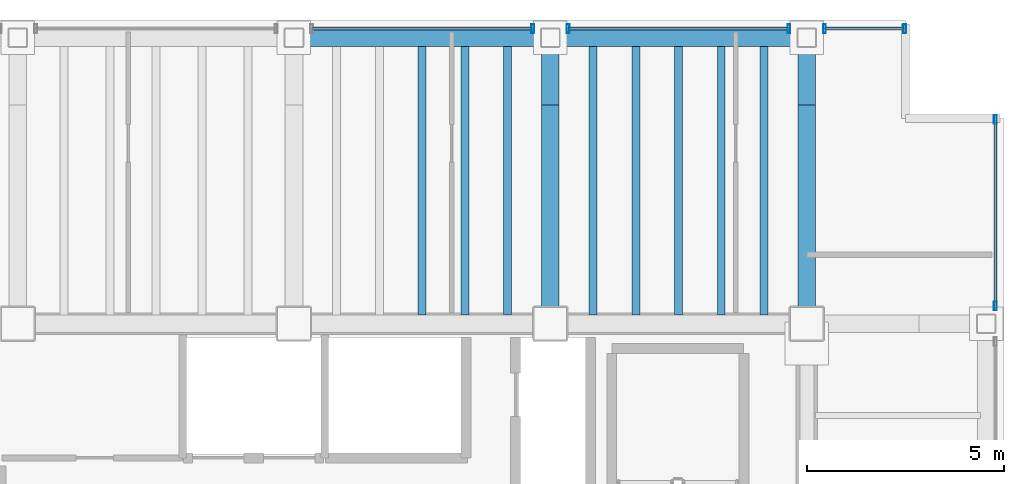
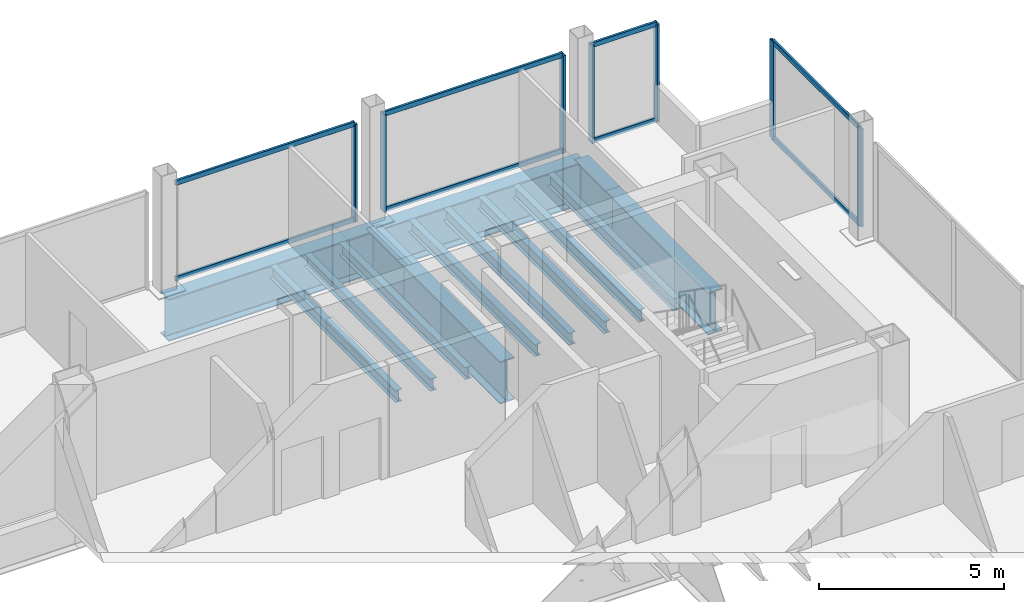
# One storey, part 19 of 24: 15 members, 14 beams, 4 elements without a shape of their own.
"""IFC4 building model written with IfcOpenShell, lengths in metres."""

from ifc_helpers import new_model, si_unit, direction, frame, origin, origin_2d, place, context, subcontext, project, spatial, hollow_rectangle, i_section, extrude, material, material_profile, profile_set, type_object, element, aggregate, save


model = new_model("IFC4")

# Units and contexts
model_context = context("Model", 3, precision=1e-05, world=origin(), true_north=direction((0.0, 1.0)))
body_context = subcontext(model_context, "Body", "Model", "MODEL_VIEW")
ifc_project = project(units=[si_unit("LENGTHUNIT", "METRE"), si_unit("AREAUNIT", "SQUARE_METRE"), si_unit("VOLUMEUNIT", "CUBIC_METRE"), si_unit("PLANEANGLEUNIT", "RADIAN"), si_unit("MASSUNIT", "GRAM", prefix="KILO")], contexts=[model_context])

# Site, building, storey
site_placement = place(None, origin())
site = spatial("IfcSite", under=ifc_project, at=site_placement, CompositionType="ELEMENT")
building_placement = place(site_placement, origin())
building = spatial("IfcBuilding", under=site, at=building_placement, Name="Noeulbin Bourse Tower", CompositionType="ELEMENT")
storey_placement = place(building_placement, frame((0.0, 0.0, 142.199951171875)))
storey = spatial("IfcBuildingStorey", under=building, at=storey_placement, Name="L35", CompositionType="ELEMENT", Elevation=142.199951171875)

# Beams
ifc_material_1 = material(Name="Steel S355", Category="steel")
ifc_material_profile_1 = material_profile(ifc_material_1, i_section(OverallWidth=0.199951171875, OverallDepth=0.39990234375, WebThickness=0.008056640625, FlangeThickness=0.012939453125, FilletRadius=0.01611328125, at=origin_2d()), Name="H-400x200x8x13", Category="LoadBearing")
ifc_profile_set_1 = profile_set([ifc_material_profile_1], Name="Steel S355")
beam_type_1 = type_object("IfcBeamType", Name="BM-SEC-400", PredefinedType="BEAM", material=ifc_profile_set_1)
for number, where, z_axis, x_axis, name in (
    (1, (34.25, 38.52490234375, -0.43994140625), (0.0, 1.0, 0.0), (-1.0, 0.0, 0.0), "Tower Composite Joist L35-48"),
    (2, (35.333251953125, 38.52490234375, -0.43994140625), (0.0, 1.0, 0.0), (-1.0, 0.0, 0.0), "Tower Composite Joist L35-51"),
    (3, (36.416748046875, 38.52490234375, -0.43994140625), (0.0, 1.0, 0.0), (-1.0, 0.0, 0.0), "Tower Composite Joist L35-54"),
    (4, (38.583251953125, 38.52490234375, -0.43994140625), (0.0, 1.0, 0.0), (-1.0, 0.0, 0.0), "Tower Composite Joist L35-57"),
    (5, (39.666748046875, 38.52490234375, -0.43994140625), (0.0, 1.0, 0.0), (-1.0, 0.0, 0.0), "Tower Composite Joist L35-60"),
    (6, (40.75, 38.52490234375, -0.43994140625), (0.0, 1.0, 0.0), (-1.0, 0.0, 0.0), "Tower Composite Joist L35-63"),
    (7, (41.833251953125, 38.52490234375, -0.43994140625), (0.0, 1.0, 0.0), (-1.0, 0.0, 0.0), "Tower Composite Joist L35-66"),
    (8, (42.916748046875, 38.52490234375, -0.43994140625), (0.0, 1.0, 0.0), (-1.0, 0.0, 0.0), "Tower Composite Joist L35-69"),
):
    element("IfcBeam", number, at=place(storey_placement, frame(where, z_axis=z_axis, x_axis=x_axis)), inside=storey, type_object=beam_type_1, Name=name, PredefinedType="BEAM", context=body_context, shape_type="SweptSolid", body=[
        extrude(i_section(OverallWidth=0.199951171875, OverallDepth=0.39990234375, WebThickness=0.008056640625, FlangeThickness=0.012939453125, FilletRadius=0.01611328125, at=origin_2d()), origin(), (0.0, 0.0, 1.0), 6.800048828125),
    ])
ifc_material_2 = material(Name="Steel S460", Category="steel")
ifc_material_profile_2 = material_profile(ifc_material_2, i_section(OverallWidth=0.449951171875, OverallDepth=1.39990234375, WebThickness=0.02392578125, FlangeThickness=0.0400390625, FilletRadius=0.02392578125, at=origin_2d()), Name="PG-1400x450x24x40", Category="LoadBearing")
ifc_profile_set_2 = profile_set([ifc_material_profile_2], Name="Steel S460")
beam_type_2 = type_object("IfcBeamType", Name="BM-TRF-1400", PredefinedType="USERDEFINED", material=ifc_profile_set_2)
beam_1_placement = place(storey_placement, frame((37.5, 38.300048828125, -0.93994140625), z_axis=(0.0, 1.0, 0.0), x_axis=(-1.0, 0.0, 0.0)))
element("IfcBeam", 9, at=beam_1_placement, inside=storey, type_object=beam_type_2, Name="Tower Primary Girder NS L35-4.4", ObjectType="GIRDER", PredefinedType="USERDEFINED", context=body_context, shape_type="SweptSolid", body=[
    extrude(i_section(OverallWidth=0.449951171875, OverallDepth=1.39990234375, WebThickness=0.02392578125, FlangeThickness=0.0400390625, FilletRadius=0.02392578125, at=origin_2d()), origin(), (0.0, 0.0, 1.0), 5.550048828125),
])
beam_2_placement = place(storey_placement, frame((37.5, 43.85009765625, -0.93994140625), z_axis=(0.0, 1.0, 0.0), x_axis=(-1.0, 0.0, 0.0)))
element("IfcBeam", 10, at=beam_2_placement, inside=storey, type_object=beam_type_2, Name="Tower Primary Girder NS L35-4.5", ObjectType="GIRDER", PredefinedType="USERDEFINED", context=body_context, shape_type="SweptSolid", body=[
    extrude(i_section(OverallWidth=0.449951171875, OverallDepth=1.39990234375, WebThickness=0.02392578125, FlangeThickness=0.0400390625, FilletRadius=0.02392578125, at=origin_2d()), origin(), (0.0, 0.0, 1.0), 1.699951171875),
])
beam_3_placement = place(storey_placement, frame((44.0, 38.300048828125, -0.93994140625), z_axis=(0.0, 1.0, 0.0), x_axis=(-1.0, 0.0, 0.0)))
element("IfcBeam", 11, at=beam_3_placement, inside=storey, type_object=beam_type_2, Name="Tower Primary Girder NS L35-5.4", ObjectType="GIRDER", PredefinedType="USERDEFINED", context=body_context, shape_type="SweptSolid", body=[
    extrude(i_section(OverallWidth=0.449951171875, OverallDepth=1.39990234375, WebThickness=0.02392578125, FlangeThickness=0.0400390625, FilletRadius=0.02392578125, at=origin_2d()), origin(), (0.0, 0.0, 1.0), 5.550048828125),
])
beam_4_placement = place(storey_placement, frame((44.0, 43.85009765625, -0.93994140625), z_axis=(0.0, 1.0, 0.0), x_axis=(-1.0, 0.0, 0.0)))
element("IfcBeam", 12, at=beam_4_placement, inside=storey, type_object=beam_type_2, Name="Tower Primary Girder NS L35-5.5", ObjectType="GIRDER", PredefinedType="USERDEFINED", context=body_context, shape_type="SweptSolid", body=[
    extrude(i_section(OverallWidth=0.449951171875, OverallDepth=1.39990234375, WebThickness=0.02392578125, FlangeThickness=0.0400390625, FilletRadius=0.02392578125, at=origin_2d()), origin(), (0.0, 0.0, 1.0), 1.699951171875),
])
for number, where, z_axis, x_axis, name in (
    (13, (31.0, 45.550048828125, -0.93994140625), (1.0, 0.0, 0.0), (0.0, 1.0, 0.0), "North Spandrel L35-3"),
    (14, (37.5, 45.550048828125, -0.93994140625), (1.0, 0.0, 0.0), (0.0, 1.0, 0.0), "North Spandrel L35-4"),
):
    element("IfcBeam", number, at=place(storey_placement, frame(where, z_axis=z_axis, x_axis=x_axis)), inside=storey, type_object=beam_type_2, Name=name, ObjectType="GIRDER", PredefinedType="USERDEFINED", context=body_context, shape_type="SweptSolid", body=[
        extrude(i_section(OverallWidth=0.449951171875, OverallDepth=1.39990234375, WebThickness=0.02392578125, FlangeThickness=0.0400390625, FilletRadius=0.02392578125, at=origin_2d()), origin(), (0.0, 0.0, 1.0), 6.5),
    ])

# Curtain wall, member
ifc_material_3 = material(Name="Dark Tinted Triple Glazing", Category="glass")
curtain_wall_type = type_object("IfcCurtainWallType", Name="CW-SYS-3", PredefinedType="NOTDEFINED", material=ifc_material_3)
curtain_wall_1_placement = place(storey_placement, origin())
curtain_wall_1 = element("IfcCurtainWall", 15, at=curtain_wall_1_placement, inside=storey, type_object=curtain_wall_type, Name="Unitised Curtain Wall CW-L35-N-S4", PredefinedType="NOTDEFINED")
ifc_material_4 = material(Name="Anodised Aluminium 6063-T6", Category="aluminium")
ifc_material_profile_3 = material_profile(ifc_material_4, hollow_rectangle(XDim=0.074951171875, YDim=0.219970703125, WallThickness=0.0048828125, InnerFilletRadius=0.00244140625, OuterFilletRadius=0.0048828125, at=origin_2d()), Name="ALU-MULL-75x220x5", Category="LoadBearing")
ifc_profile_set_3 = profile_set([ifc_material_profile_3], Name="Anodised Aluminium 6063-T6")
member_type_1 = type_object("IfcMemberType", Name="CW-SYS-3-MUL", PredefinedType="MULLION", material=ifc_profile_set_3)
member_1_placement = place(storey_placement, frame((37.050048828125, 45.780029296875, -0.02001953125), z_axis=(0.0, 0.0, 1.0), x_axis=(1.0, 0.0, 0.0)))
member_1 = element("IfcMember", 16, at=member_1_placement, type_object=member_type_1, Name="Curtain Wall Mullion CW-L35-N-S4-M01", PredefinedType="MULLION", context=body_context, shape_type="SweptSolid", body=[
    extrude(hollow_rectangle(XDim=0.074951171875, YDim=0.219970703125, WallThickness=0.0048828125, InnerFilletRadius=0.00244140625, OuterFilletRadius=0.0048828125, at=origin_2d()), origin(), (0.0, 0.0, 1.0), 3.219970703125),
])

# Curtain wall, members
curtain_wall_2_placement = place(storey_placement, origin())
curtain_wall_2 = element("IfcCurtainWall", 17, at=curtain_wall_2_placement, inside=storey, type_object=curtain_wall_type, Name="Unitised Curtain Wall CW-L35-N-S5", PredefinedType="NOTDEFINED")
member_2_placement = place(storey_placement, frame((37.949951171875, 45.780029296875, -0.02001953125), z_axis=(0.0, 0.0, 1.0), x_axis=(1.0, 0.0, 0.0)))
member_2 = element("IfcMember", 18, at=member_2_placement, type_object=member_type_1, Name="Curtain Wall Mullion CW-L35-N-S5-M00", PredefinedType="MULLION", context=body_context, shape_type="SweptSolid", body=[
    extrude(hollow_rectangle(XDim=0.074951171875, YDim=0.219970703125, WallThickness=0.0048828125, InnerFilletRadius=0.00244140625, OuterFilletRadius=0.0048828125, at=origin_2d()), origin(), (0.0, 0.0, 1.0), 3.219970703125),
])
member_3_placement = place(storey_placement, frame((43.550048828125, 45.780029296875, -0.02001953125), z_axis=(0.0, 0.0, 1.0), x_axis=(1.0, 0.0, 0.0)))
member_3 = element("IfcMember", 19, at=member_3_placement, type_object=member_type_1, Name="Curtain Wall Mullion CW-L35-N-S5-M01", PredefinedType="MULLION", context=body_context, shape_type="SweptSolid", body=[
    extrude(hollow_rectangle(XDim=0.074951171875, YDim=0.219970703125, WallThickness=0.0048828125, InnerFilletRadius=0.00244140625, OuterFilletRadius=0.0048828125, at=origin_2d()), origin(), (0.0, 0.0, 1.0), 3.219970703125),
])

curtain_wall_3_placement = place(storey_placement, origin())
curtain_wall_3 = element("IfcCurtainWall", 20, at=curtain_wall_3_placement, inside=storey, type_object=curtain_wall_type, Name="Unitised Curtain Wall CW-L35-N-S6", PredefinedType="NOTDEFINED")
member_4_placement = place(storey_placement, frame((44.449951171875, 45.780029296875, -0.02001953125), z_axis=(0.0, 0.0, 1.0), x_axis=(1.0, 0.0, 0.0)))
member_4 = element("IfcMember", 21, at=member_4_placement, type_object=member_type_1, Name="Curtain Wall Mullion CW-L35-N-S6-M00", PredefinedType="MULLION", context=body_context, shape_type="SweptSolid", body=[
    extrude(hollow_rectangle(XDim=0.074951171875, YDim=0.219970703125, WallThickness=0.0048828125, InnerFilletRadius=0.00244140625, OuterFilletRadius=0.0048828125, at=origin_2d()), origin(), (0.0, 0.0, 1.0), 3.219970703125),
])
member_5_placement = place(storey_placement, frame((46.47998046875, 45.780029296875, -0.02001953125), z_axis=(0.0, 0.0, 1.0), x_axis=(1.0, 0.0, 0.0)))
member_5 = element("IfcMember", 22, at=member_5_placement, type_object=member_type_1, Name="Curtain Wall Mullion CW-L35-N-S6-M01", PredefinedType="MULLION", context=body_context, shape_type="SweptSolid", body=[
    extrude(hollow_rectangle(XDim=0.074951171875, YDim=0.219970703125, WallThickness=0.0048828125, InnerFilletRadius=0.00244140625, OuterFilletRadius=0.0048828125, at=origin_2d()), origin(), (0.0, 0.0, 1.0), 3.219970703125),
])

curtain_wall_4_placement = place(storey_placement, origin())
curtain_wall_4 = element("IfcCurtainWall", 23, at=curtain_wall_4_placement, inside=storey, type_object=curtain_wall_type, Name="Unitised Curtain Wall CW-L35-E-S3", PredefinedType="NOTDEFINED")
member_6_placement = place(storey_placement, frame((48.780029296875, 38.75, -0.02001953125), z_axis=(0.0, 0.0, 1.0), x_axis=(1.0, 0.0, 0.0)))
member_6 = element("IfcMember", 24, at=member_6_placement, type_object=member_type_1, Name="Curtain Wall Mullion CW-L35-E-S3-M00", PredefinedType="MULLION", context=body_context, shape_type="SweptSolid", body=[
    extrude(hollow_rectangle(XDim=0.074951171875, YDim=0.219970703125, WallThickness=0.0048828125, InnerFilletRadius=0.00244140625, OuterFilletRadius=0.0048828125, at=origin_2d()), origin(), (0.0, 0.0, 1.0), 3.219970703125),
])
member_7_placement = place(storey_placement, frame((48.780029296875, 43.47998046875, -0.02001953125), z_axis=(0.0, 0.0, 1.0), x_axis=(1.0, 0.0, 0.0)))
member_7 = element("IfcMember", 25, at=member_7_placement, type_object=member_type_1, Name="Curtain Wall Mullion CW-L35-E-S3-M01", PredefinedType="MULLION", context=body_context, shape_type="SweptSolid", body=[
    extrude(hollow_rectangle(XDim=0.074951171875, YDim=0.219970703125, WallThickness=0.0048828125, InnerFilletRadius=0.00244140625, OuterFilletRadius=0.0048828125, at=origin_2d()), origin(), (0.0, 0.0, 1.0), 3.219970703125),
])

# Member
ifc_material_profile_4 = material_profile(ifc_material_4, hollow_rectangle(XDim=0.074951171875, YDim=0.159912109375, WallThickness=0.0048828125, InnerFilletRadius=0.00244140625, OuterFilletRadius=0.0048828125, at=origin_2d()), Name="ALU-TRAN-75x160x5", Category="LoadBearing")
ifc_profile_set_4 = profile_set([ifc_material_profile_4], Name="Anodised Aluminium 6063-T6")
member_type_2 = type_object("IfcMemberType", Name="CW-SYS-3-TRN", PredefinedType="USERDEFINED", material=ifc_profile_set_4)
member_8_placement = place(storey_placement, frame((31.4599609375, 45.780029296875, 0.010009765625), z_axis=(1.0, 0.0, 0.0), x_axis=(0.0, 1.0, 0.0)))
member_8 = element("IfcMember", 26, at=member_8_placement, type_object=member_type_2, Name="Curtain Wall Transom CW-L35-N-S4-T00", ObjectType="TRANSOM", PredefinedType="USERDEFINED", context=body_context, shape_type="SweptSolid", body=[
    extrude(hollow_rectangle(XDim=0.074951171875, YDim=0.159912109375, WallThickness=0.0048828125, InnerFilletRadius=0.00244140625, OuterFilletRadius=0.0048828125, at=origin_2d()), origin(), (0.0, 0.0, 1.0), 5.580078125),
])

member_9_placement = place(storey_placement, frame((31.4599609375, 45.780029296875, 3.170166015625), z_axis=(1.0, 0.0, 0.0), x_axis=(0.0, 1.0, 0.0)))
member_9 = element("IfcMember", 27, at=member_9_placement, type_object=member_type_2, Name="Curtain Wall Transom CW-L35-N-S4-T01", ObjectType="TRANSOM", PredefinedType="USERDEFINED", context=body_context, shape_type="SweptSolid", body=[
    extrude(hollow_rectangle(XDim=0.074951171875, YDim=0.159912109375, WallThickness=0.0048828125, InnerFilletRadius=0.00244140625, OuterFilletRadius=0.0048828125, at=origin_2d()), origin(), (0.0, 0.0, 1.0), 5.580078125),
])

aggregate(curtain_wall_1, [member_1, member_8, member_9])

member_10_placement = place(storey_placement, frame((37.9599609375, 45.780029296875, 0.010009765625), z_axis=(1.0, 0.0, 0.0), x_axis=(0.0, 1.0, 0.0)))
member_10 = element("IfcMember", 28, at=member_10_placement, type_object=member_type_2, Name="Curtain Wall Transom CW-L35-N-S5-T00", ObjectType="TRANSOM", PredefinedType="USERDEFINED", context=body_context, shape_type="SweptSolid", body=[
    extrude(hollow_rectangle(XDim=0.074951171875, YDim=0.159912109375, WallThickness=0.0048828125, InnerFilletRadius=0.00244140625, OuterFilletRadius=0.0048828125, at=origin_2d()), origin(), (0.0, 0.0, 1.0), 5.580078125),
])

member_11_placement = place(storey_placement, frame((37.9599609375, 45.780029296875, 3.170166015625), z_axis=(1.0, 0.0, 0.0), x_axis=(0.0, 1.0, 0.0)))
member_11 = element("IfcMember", 29, at=member_11_placement, type_object=member_type_2, Name="Curtain Wall Transom CW-L35-N-S5-T01", ObjectType="TRANSOM", PredefinedType="USERDEFINED", context=body_context, shape_type="SweptSolid", body=[
    extrude(hollow_rectangle(XDim=0.074951171875, YDim=0.159912109375, WallThickness=0.0048828125, InnerFilletRadius=0.00244140625, OuterFilletRadius=0.0048828125, at=origin_2d()), origin(), (0.0, 0.0, 1.0), 5.580078125),
])

aggregate(curtain_wall_2, [member_2, member_3, member_10, member_11])

member_12_placement = place(storey_placement, frame((44.4599609375, 45.780029296875, 0.010009765625), z_axis=(1.0, 0.0, 0.0), x_axis=(0.0, 1.0, 0.0)))
member_12 = element("IfcMember", 30, at=member_12_placement, type_object=member_type_2, Name="Curtain Wall Transom CW-L35-N-S6-T00", ObjectType="TRANSOM", PredefinedType="USERDEFINED", context=body_context, shape_type="SweptSolid", body=[
    extrude(hollow_rectangle(XDim=0.074951171875, YDim=0.159912109375, WallThickness=0.0048828125, InnerFilletRadius=0.00244140625, OuterFilletRadius=0.0048828125, at=origin_2d()), origin(), (0.0, 0.0, 1.0), 2.010009765625),
])

member_13_placement = place(storey_placement, frame((44.4599609375, 45.780029296875, 3.170166015625), z_axis=(1.0, 0.0, 0.0), x_axis=(0.0, 1.0, 0.0)))
member_13 = element("IfcMember", 31, at=member_13_placement, type_object=member_type_2, Name="Curtain Wall Transom CW-L35-N-S6-T01", ObjectType="TRANSOM", PredefinedType="USERDEFINED", context=body_context, shape_type="SweptSolid", body=[
    extrude(hollow_rectangle(XDim=0.074951171875, YDim=0.159912109375, WallThickness=0.0048828125, InnerFilletRadius=0.00244140625, OuterFilletRadius=0.0048828125, at=origin_2d()), origin(), (0.0, 0.0, 1.0), 2.010009765625),
])

aggregate(curtain_wall_3, [member_4, member_5, member_12, member_13])

member_14_placement = place(storey_placement, frame((48.780029296875, 38.760009765625, 0.010009765625), z_axis=(0.0, 1.0, 0.0), x_axis=(-1.0, 0.0, 0.0)))
member_14 = element("IfcMember", 32, at=member_14_placement, type_object=member_type_2, Name="Curtain Wall Transom CW-L35-E-S3-T00", ObjectType="TRANSOM", PredefinedType="USERDEFINED", context=body_context, shape_type="SweptSolid", body=[
    extrude(hollow_rectangle(XDim=0.074951171875, YDim=0.159912109375, WallThickness=0.0048828125, InnerFilletRadius=0.00244140625, OuterFilletRadius=0.0048828125, at=origin_2d()), origin(), (0.0, 0.0, 1.0), 4.7099609375),
])

member_15_placement = place(storey_placement, frame((48.780029296875, 38.760009765625, 3.170166015625), z_axis=(0.0, 1.0, 0.0), x_axis=(-1.0, 0.0, 0.0)))
member_15 = element("IfcMember", 33, at=member_15_placement, type_object=member_type_2, Name="Curtain Wall Transom CW-L35-E-S3-T01", ObjectType="TRANSOM", PredefinedType="USERDEFINED", context=body_context, shape_type="SweptSolid", body=[
    extrude(hollow_rectangle(XDim=0.074951171875, YDim=0.159912109375, WallThickness=0.0048828125, InnerFilletRadius=0.00244140625, OuterFilletRadius=0.0048828125, at=origin_2d()), origin(), (0.0, 0.0, 1.0), 4.7099609375),
])

aggregate(curtain_wall_4, [member_6, member_7, member_14, member_15])

save(model, "model.ifc")
